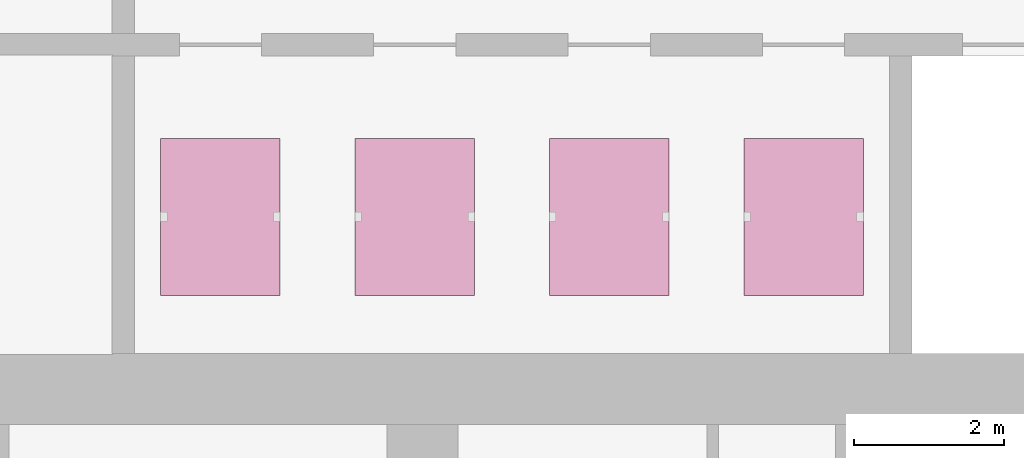
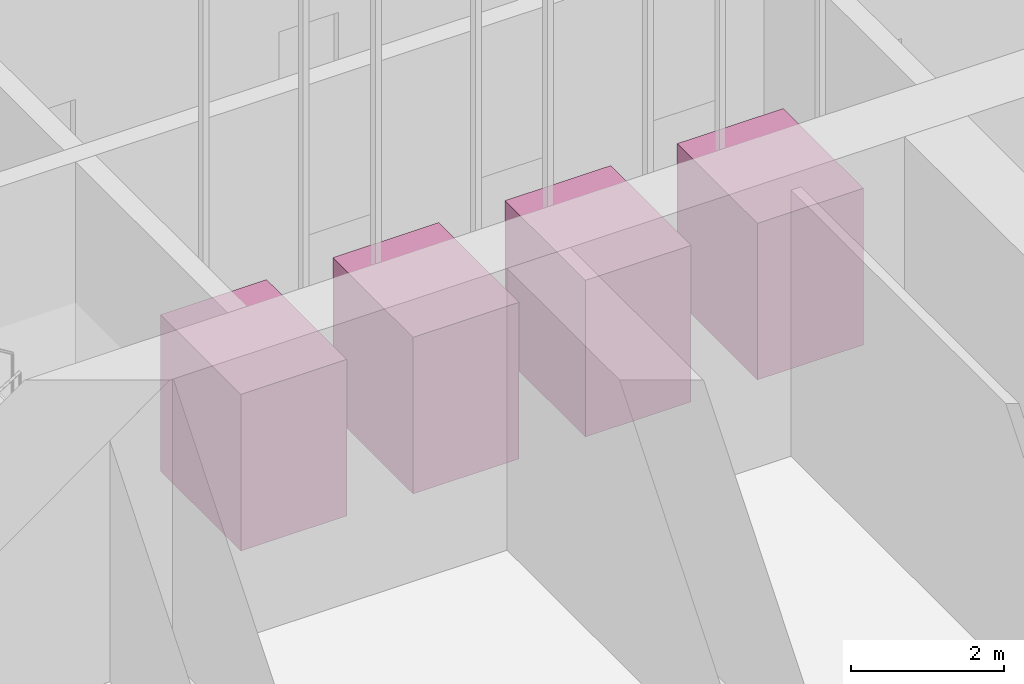
# One storey, part 23 of 31: 4 transport elements.
"""IFC4 building model written with IfcOpenShell, lengths in metres."""

from ifc_helpers import new_model, si_unit, direction, frame, origin, origin_2d, place, context, subcontext, project, spatial, rectangle, extrude, material, type_object, element, save


model = new_model("IFC4")

# Units and contexts
model_context = context("Model", 3, precision=1e-05, world=origin(), true_north=direction((0.0, 1.0)))
body_context = subcontext(model_context, "Body", "Model", "MODEL_VIEW")
ifc_project = project(units=[si_unit("LENGTHUNIT", "METRE"), si_unit("AREAUNIT", "SQUARE_METRE"), si_unit("VOLUMEUNIT", "CUBIC_METRE"), si_unit("PLANEANGLEUNIT", "RADIAN"), si_unit("MASSUNIT", "GRAM", prefix="KILO")], contexts=[model_context])

# Site, building, storey
site_placement = place(None, origin())
site = spatial("IfcSite", under=ifc_project, at=site_placement, CompositionType="ELEMENT")
building_placement = place(site_placement, origin())
building = spatial("IfcBuilding", under=site, at=building_placement, Name="Orbita Commons", CompositionType="ELEMENT")
storey_placement = place(building_placement, frame((0.0, 0.0, 76.14990234375)))
storey = spatial("IfcBuildingStorey", under=building, at=storey_placement, Name="L18", CompositionType="ELEMENT", Elevation=76.14990234375)

# Transport elements
ifc_material = material(Name="Stainless steel lift car", Category="steel")
transport_element_type = type_object("IfcTransportElementType", Name="Passenger lift, mid zone 1600 kg", PredefinedType="ELEVATOR", material=ifc_material)
transport_element_1_placement = place(storey_placement, frame((27.300048828125, 28.10009765625, 0.0), z_axis=(0.0, 0.0, 1.0), x_axis=(1.0, 0.0, 0.0)))
element("IfcTransportElement", 1, at=transport_element_1_placement, inside=storey, type_object=transport_element_type, Name="P21 car", PredefinedType="ELEVATOR", context=body_context, shape_type="SweptSolid", body=[
    extrude(rectangle(XDim=1.60009765625, YDim=2.10009765625, at=origin_2d()), origin(), (0.0, 0.0, 1.0), 2.5),
])
transport_element_2_placement = place(storey_placement, frame((29.89990234375, 28.10009765625, 0.0), z_axis=(0.0, 0.0, 1.0), x_axis=(1.0, 0.0, 0.0)))
element("IfcTransportElement", 2, at=transport_element_2_placement, inside=storey, type_object=transport_element_type, Name="P22 car", PredefinedType="ELEVATOR", context=body_context, shape_type="SweptSolid", body=[
    extrude(rectangle(XDim=1.60009765625, YDim=2.10009765625, at=origin_2d()), origin(), (0.0, 0.0, 1.0), 2.5),
])
transport_element_3_placement = place(storey_placement, frame((32.5, 28.10009765625, 0.0), z_axis=(0.0, 0.0, 1.0), x_axis=(1.0, 0.0, 0.0)))
element("IfcTransportElement", 3, at=transport_element_3_placement, inside=storey, type_object=transport_element_type, Name="P23 car", PredefinedType="ELEVATOR", context=body_context, shape_type="SweptSolid", body=[
    extrude(rectangle(XDim=1.60009765625, YDim=2.10009765625, at=origin_2d()), origin(), (0.0, 0.0, 1.0), 2.5),
])
transport_element_4_placement = place(storey_placement, frame((35.10009765625, 28.10009765625, 0.0), z_axis=(0.0, 0.0, 1.0), x_axis=(1.0, 0.0, 0.0)))
element("IfcTransportElement", 4, at=transport_element_4_placement, inside=storey, type_object=transport_element_type, Name="P24 car", PredefinedType="ELEVATOR", context=body_context, shape_type="SweptSolid", body=[
    extrude(rectangle(XDim=1.60009765625, YDim=2.10009765625, at=origin_2d()), origin(), (0.0, 0.0, 1.0), 2.5),
])

save(model, "model.ifc")
